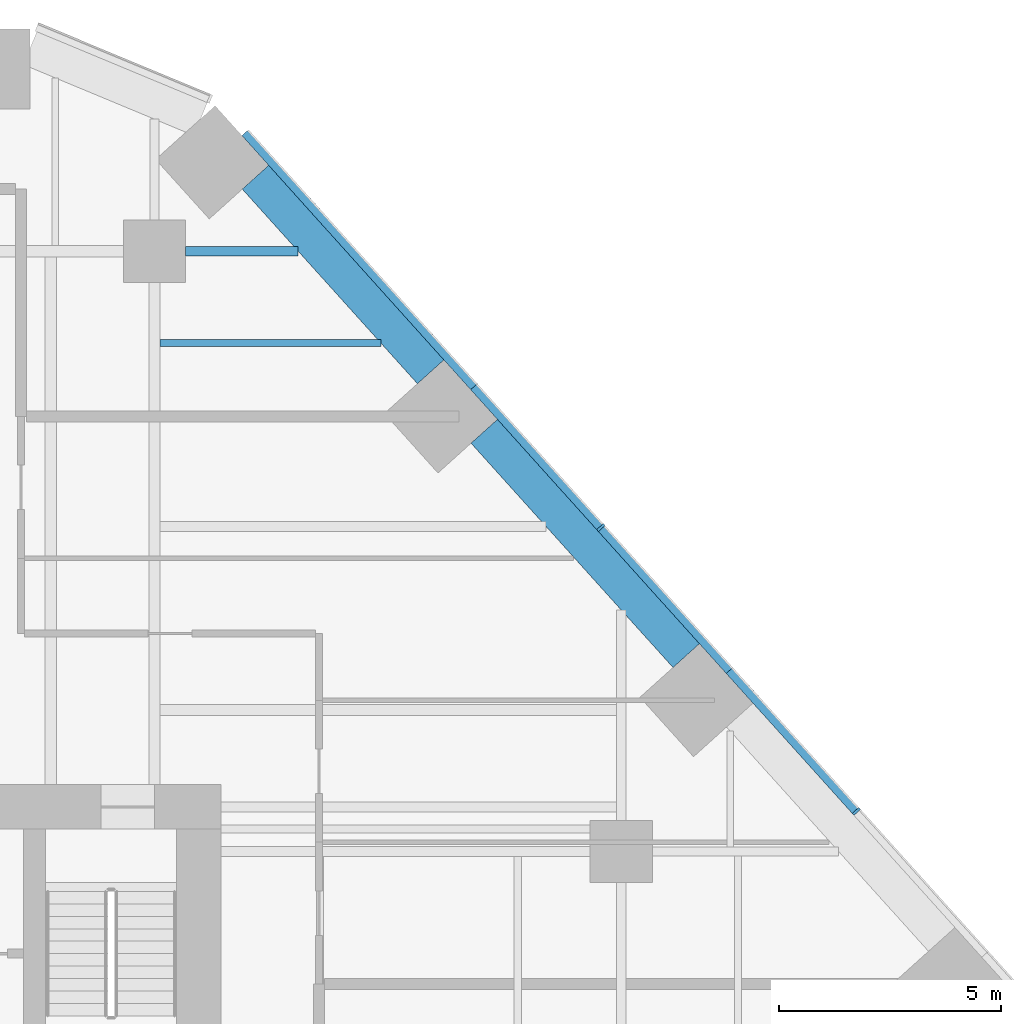
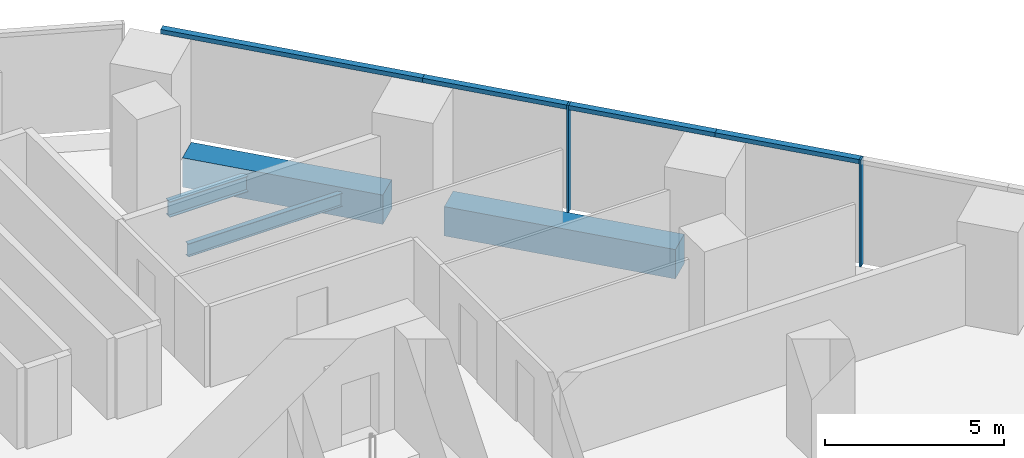
# One storey, part 10 of 21: 6 members, 4 beams, 1 element without a shape of its own.
"""IFC4 building model written with IfcOpenShell, lengths in metres."""

from ifc_helpers import new_model, si_unit, direction, frame, origin, origin_2d, place, context, subcontext, project, spatial, rectangle, i_section, extrude, material, layer, layer_set, material_profile, profile_set, type_object, element, aggregate, save


model = new_model("IFC4")

# Units and contexts
model_context = context("Model", 3, precision=1e-05, world=origin(), true_north=direction((0.0, 1.0)))
body_context = subcontext(model_context, "Body", "Model", "MODEL_VIEW")
ifc_project = project(units=[si_unit("LENGTHUNIT", "METRE"), si_unit("AREAUNIT", "SQUARE_METRE"), si_unit("VOLUMEUNIT", "CUBIC_METRE"), si_unit("PLANEANGLEUNIT", "RADIAN"), si_unit("MASSUNIT", "GRAM", prefix="KILO")], contexts=[model_context])

# Site, building, storey
site_placement = place(None, origin())
site = spatial("IfcSite", under=ifc_project, at=site_placement, CompositionType="ELEMENT")
building_placement = place(site_placement, origin())
building = spatial("IfcBuilding", under=site, at=building_placement, Name="Isthmus Gate Tower", CompositionType="ELEMENT")
storey_placement = place(building_placement, frame((0.0, 0.0, 46.949951171875)))
storey = spatial("IfcBuildingStorey", under=building, at=storey_placement, Name="L09", CompositionType="ELEMENT", Elevation=46.949951171875)

# Curtain wall, members
ifc_material_1 = material(Name="Aluminium, pale champagne anodised", Category="aluminium")
ifc_layer = layer(ifc_material_1, 0.199951171875)
ifc_layer_set = layer_set([ifc_layer], Name="CW-1 UNITISED CURTAIN WALL 200 DEEP")
curtain_wall_type = type_object("IfcCurtainWallType", Name="CW-1 UNITISED CURTAIN WALL 200 DEEP", PredefinedType="NOTDEFINED", material=ifc_layer_set)
curtain_wall_placement = place(storey_placement, origin())
curtain_wall = element("IfcCurtainWall", 1, at=curtain_wall_placement, inside=storey, type_object=curtain_wall_type, Name="CW-1 NE L09", PredefinedType="NOTDEFINED")
ifc_material_2 = material(Name="Aluminium, pale champagne anodised", Category="aluminium")
ifc_material_profile_1 = material_profile(ifc_material_2, rectangle(XDim=0.06005859375, YDim=0.199951171875, at=origin_2d()), Name="60x200")
ifc_profile_set_1 = profile_set([ifc_material_profile_1], Name="Aluminium, pale champagne anodised")
member_type_1 = type_object("IfcMemberType", Name="CW-1 MULLION 60 X 200", PredefinedType="MULLION", material=ifc_profile_set_1)
member_1_placement = place(storey_placement, frame((29.287841796875, 14.400146484375, 0.0), z_axis=(0.0, 0.0, 1.0), x_axis=(-0.669130606359, 0.743144825477, 0.0)))
member_1 = element("IfcMember", 2, at=member_1_placement, type_object=member_type_1, Name="CW-1 mullion", PredefinedType="MULLION", context=body_context, shape_type="SweptSolid", body=[
    extrude(rectangle(XDim=0.06005859375, YDim=0.199951171875, at=origin_2d()), origin(), (0.0, 0.0, 1.0), 3.650146484375),
])
member_2_placement = place(storey_placement, frame((23.54052734375, 20.783447265625, 0.0), z_axis=(0.0, 0.0, 1.0), x_axis=(-0.669130606359, 0.743144825477, 0.0)))
member_2 = element("IfcMember", 3, at=member_2_placement, type_object=member_type_1, Name="CW-1 mullion", PredefinedType="MULLION", context=body_context, shape_type="SweptSolid", body=[
    extrude(rectangle(XDim=0.06005859375, YDim=0.199951171875, at=origin_2d()), origin(), (0.0, 0.0, 1.0), 3.650146484375),
])
ifc_material_3 = material(Name="Aluminium, pale champagne anodised", Category="aluminium")
ifc_material_profile_2 = material_profile(ifc_material_3, rectangle(XDim=0.199951171875, YDim=0.14990234375, at=origin_2d()), Name="200x150")
ifc_profile_set_2 = profile_set([ifc_material_profile_2], Name="Aluminium, pale champagne anodised")
member_type_2 = type_object("IfcMemberType", Name="CW-1 TRANSOM 200 X 150", PredefinedType="USERDEFINED", material=ifc_profile_set_2)
member_3_placement = place(storey_placement, frame((29.267822265625, 14.422607421875, 3.574951171875), z_axis=(-0.669123979474, 0.743150792298, 0.0), x_axis=(-0.743150792298, -0.669123979474, 0.0)))
member_3 = element("IfcMember", 4, at=member_3_placement, type_object=member_type_2, Name="CW-1 transom", ObjectType="TRANSOM", PredefinedType="USERDEFINED", context=body_context, shape_type="SweptSolid", body=[
    extrude(rectangle(XDim=0.199951171875, YDim=0.14990234375, at=origin_2d()), origin(), (0.0, 0.0, 1.0), 4.234619140625),
])
member_4_placement = place(storey_placement, frame((26.434326171875, 17.569580078125, 3.574951171875), z_axis=(-0.669159437096, 0.743118865153, 0.0), x_axis=(-0.743118865153, -0.669159437096, 0.0)))
member_4 = element("IfcMember", 5, at=member_4_placement, type_object=member_type_2, Name="CW-1 transom", ObjectType="TRANSOM", PredefinedType="USERDEFINED", context=body_context, shape_type="SweptSolid", body=[
    extrude(rectangle(XDim=0.199951171875, YDim=0.14990234375, at=origin_2d()), origin(), (0.0, 0.0, 1.0), 4.294677734375),
])
member_5_placement = place(storey_placement, frame((23.520263671875, 20.8056640625, 3.574951171875), z_axis=(-0.669123979474, 0.743150792298, 0.0), x_axis=(-0.743150792298, -0.669123979474, 0.0)))
member_5 = element("IfcMember", 6, at=member_5_placement, type_object=member_type_2, Name="CW-1 transom", ObjectType="TRANSOM", PredefinedType="USERDEFINED", context=body_context, shape_type="SweptSolid", body=[
    extrude(rectangle(XDim=0.199951171875, YDim=0.14990234375, at=origin_2d()), origin(), (0.0, 0.0, 1.0), 4.234619140625),
])
member_6_placement = place(storey_placement, frame((20.686767578125, 23.95263671875, 3.574951171875), z_axis=(-0.669115577823, 0.743158356957, 0.0), x_axis=(-0.743158356957, -0.669115577823, 0.0)))
member_6 = element("IfcMember", 7, at=member_6_placement, type_object=member_type_2, Name="CW-1 transom", ObjectType="TRANSOM", PredefinedType="USERDEFINED", context=body_context, shape_type="SweptSolid", body=[
    extrude(rectangle(XDim=0.199951171875, YDim=0.14990234375, at=origin_2d()), origin(), (0.0, 0.0, 1.0), 7.689208984375),
])
aggregate(curtain_wall, [member_1, member_3, member_4, member_2, member_5, member_6])

# Beams
ifc_material_4 = material(Name="Concrete f'c 70 MPa", Category="concrete")
ifc_material_profile_3 = material_profile(ifc_material_4, rectangle(XDim=0.800048828125, YDim=1.0, at=origin_2d()), Name="RC 800X1000")
ifc_profile_set_3 = profile_set([ifc_material_profile_3], Name="Concrete f'c 70 MPa")
beam_type_1 = type_object("IfcBeamType", Name="RC SPANDREL 800 X 1000", PredefinedType="SPANDREL", material=ifc_profile_set_3)
beam_1_placement = place(storey_placement, frame((15.772216796875, 28.66357421875, -0.5), z_axis=(0.669141061586, -0.743135411415, 0.0), x_axis=(0.743135411415, 0.669141061586, 0.0)))
element("IfcBeam", 8, at=beam_1_placement, inside=storey, type_object=beam_type_1, Name="str-spandrel-L09-01", PredefinedType="SPANDREL", context=body_context, shape_type="SweptSolid", body=[
    extrude(rectangle(XDim=0.800048828125, YDim=1.0, at=origin_2d()), origin(), (0.0, 0.0, 1.0), 5.889404296875),
])
beam_2_placement = place(storey_placement, frame((20.91748046875, 22.94921875, -0.5), z_axis=(0.669135571547, -0.743140354772, 0.0), x_axis=(0.743140354772, 0.669135571547, 0.0)))
element("IfcBeam", 9, at=beam_2_placement, inside=storey, type_object=beam_type_1, Name="str-spandrel-L09-02", PredefinedType="SPANDREL", context=body_context, shape_type="SweptSolid", body=[
    extrude(rectangle(XDim=0.800048828125, YDim=1.0, at=origin_2d()), origin(), (0.0, 0.0, 1.0), 6.789306640625),
])
ifc_material_5 = material(Name="Structural steel ASTM A992 Gr 50", Category="steel")
ifc_material_profile_4 = material_profile(ifc_material_5, i_section(OverallWidth=0.15234375, OverallDepth=0.45068359375, WebThickness=0.0078125, FlangeThickness=0.010986328125, at=origin_2d()), Name="W18X35")
ifc_profile_set_4 = profile_set([ifc_material_profile_4], Name="Structural steel ASTM A992 Gr 50")
beam_type_2 = type_object("IfcBeamType", Name="STEEL FLOOR BEAM W18X35", PredefinedType="JOIST", material=ifc_profile_set_4)
beam_3_placement = place(storey_placement, frame((13.626953125, 24.935791015625, -0.375244140625), z_axis=(1.0, 0.0, 0.0), x_axis=(0.0, 1.0, 0.0)))
element("IfcBeam", 10, at=beam_3_placement, inside=storey, type_object=beam_type_2, Name="str-beam-L09-26-02", PredefinedType="JOIST", context=body_context, shape_type="SweptSolid", body=[
    extrude(i_section(OverallWidth=0.15234375, OverallDepth=0.45068359375, WebThickness=0.0078125, FlangeThickness=0.010986328125, at=origin_2d()), origin(), (0.0, 0.0, 1.0), 4.963623046875),
])
ifc_material_6 = material(Name="Structural steel ASTM A992 Gr 50", Category="steel")
ifc_material_profile_5 = material_profile(ifc_material_6, i_section(OverallWidth=0.20947265625, OverallDepth=0.533447265625, WebThickness=0.009521484375, FlangeThickness=0.015869140625, at=origin_2d()), Name="W21X62")
ifc_profile_set_5 = profile_set([ifc_material_profile_5], Name="Structural steel ASTM A992 Gr 50")
beam_type_3 = type_object("IfcBeamType", Name="STEEL GIRDER W21X62", PredefinedType="BEAM", material=ifc_profile_set_5)
beam_4_placement = place(storey_placement, frame((14.199951171875, 27.0, -0.416748046875), z_axis=(1.0, 0.0, 0.0), x_axis=(0.0, 1.0, 0.0)))
element("IfcBeam", 11, at=beam_4_placement, inside=storey, type_object=beam_type_3, Name="str-girder-L09-19", PredefinedType="BEAM", context=body_context, shape_type="SweptSolid", body=[
    extrude(i_section(OverallWidth=0.20947265625, OverallDepth=0.533447265625, WebThickness=0.009521484375, FlangeThickness=0.015869140625, at=origin_2d()), origin(), (0.0, 0.0, 1.0), 2.531982421875),
])

save(model, "model.ifc")
